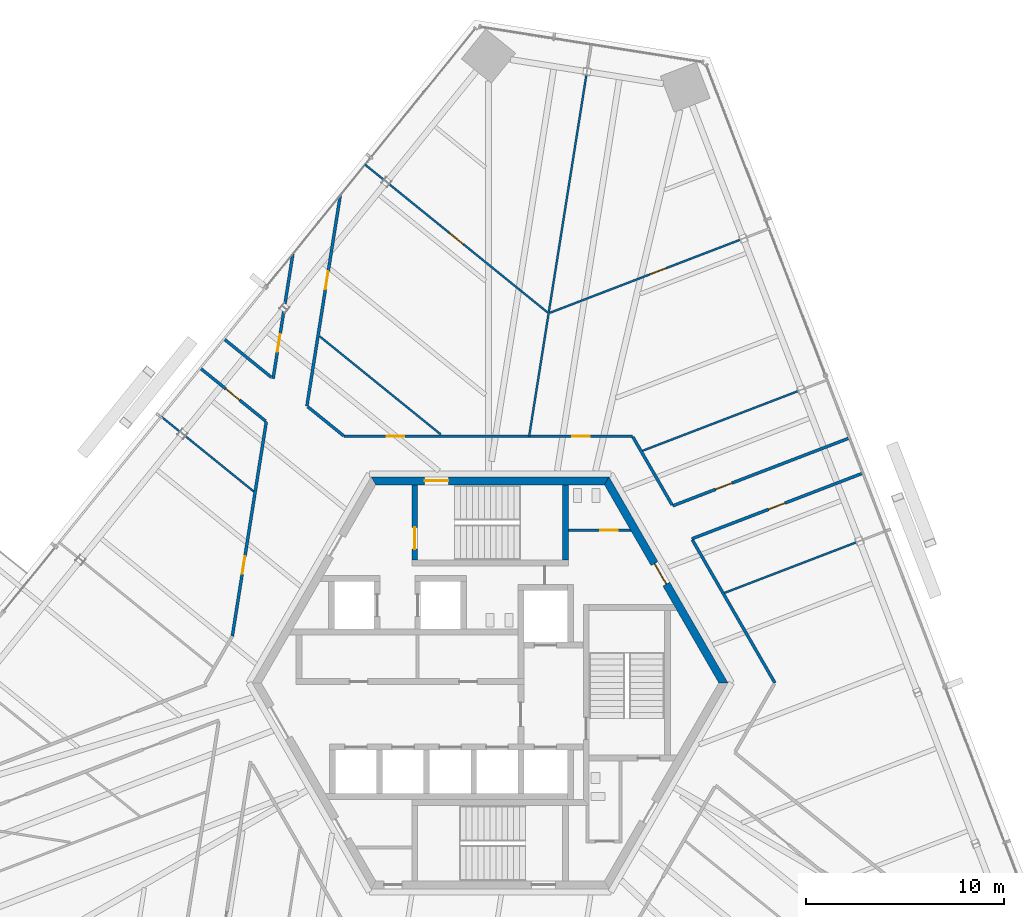
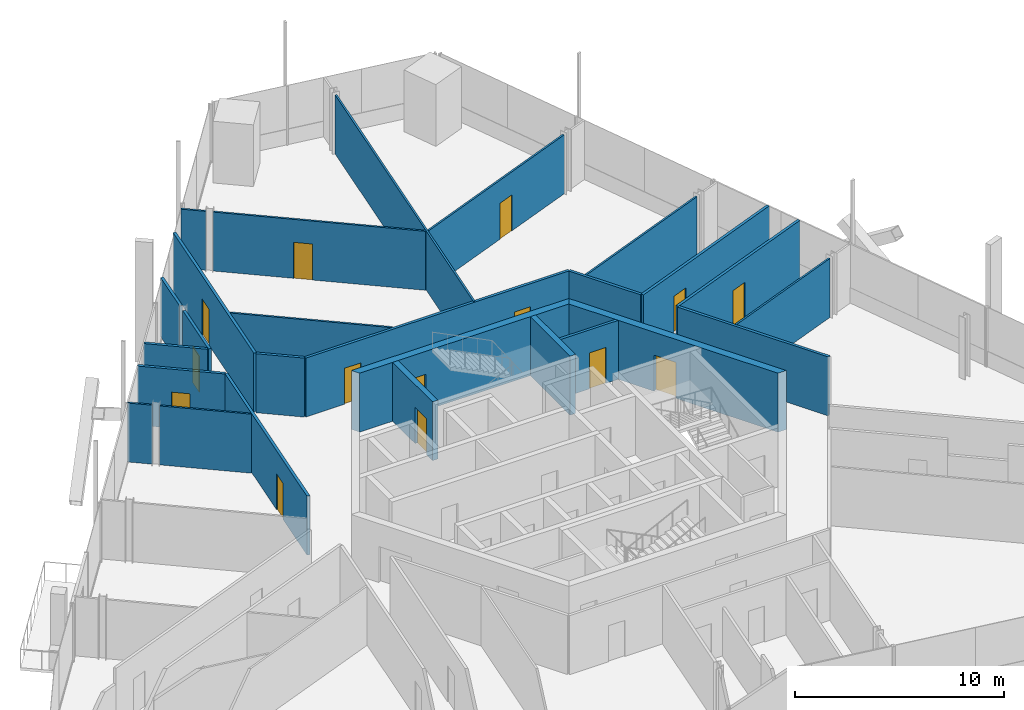
# One storey, part 14 of 22: 26 walls, 14 doors, 14 openings.
"""IFC4 building model written with IfcOpenShell, lengths in metres."""

from ifc_helpers import new_model, si_unit, direction, frame, frame_2d, origin, place, context, subcontext, project, spatial, polyline, rectangle, outline, extrude, source, transform, mapped, material, layer, layer_set, type_object, element, fill, save


model = new_model("IFC4")

# Units and contexts
model_context = context("Model", 3, precision=1e-05, world=origin(), true_north=direction((0.0, 1.0)))
body_context = subcontext(model_context, "Body", "Model", "MODEL_VIEW")
ifc_project = project(units=[si_unit("LENGTHUNIT", "METRE"), si_unit("AREAUNIT", "SQUARE_METRE"), si_unit("VOLUMEUNIT", "CUBIC_METRE"), si_unit("PLANEANGLEUNIT", "RADIAN"), si_unit("MASSUNIT", "GRAM", prefix="KILO")], contexts=[model_context])

# Site, building, storey
site_placement = place(None, origin())
site = spatial("IfcSite", under=ifc_project, at=site_placement, CompositionType="ELEMENT")
building_placement = place(site_placement, origin())
building = spatial("IfcBuilding", under=site, at=building_placement, Name="Triune Harvest Tower", CompositionType="ELEMENT")
storey_placement = place(building_placement, frame((0.0, 0.0, 153.300048828125)))
storey = spatial("IfcBuildingStorey", under=building, at=storey_placement, Name="L39", CompositionType="ELEMENT", Elevation=153.300048828125)

# Walls
ifc_material_1 = material(Name="Gypsum board on steel studs", Category="steel")
ifc_layer_1 = layer(ifc_material_1, 0.14990234375)
ifc_layer_set_1 = layer_set([ifc_layer_1], Name="Gypsum board on steel studs")
wall_type_1 = type_object("IfcWallType", Name="Fire Partition 150 mm", PredefinedType="PARTITIONING", material=ifc_layer_set_1)
wall_1_placement = place(storey_placement, frame((7.20361328125, 12.407470703125, 0.0), z_axis=(0.0, 0.0, 1.0), x_axis=(0.500021028785, -0.866013262469, 0.0)))
element("IfcWall", 1, at=wall_1_placement, inside=storey, type_object=wall_type_1, Name="Partition L39 002", PredefinedType="PARTITIONING", context=body_context, shape_type="SweptSolid", body=[
    extrude(rectangle(XDim=3.963623046875, YDim=0.14990234375, at=frame_2d((1.98193359375, 0.0))), origin(), (0.0, 0.0, 1.0), 3.43994140625),
])
wall_2_placement = place(storey_placement, frame((10.20751953125, 7.205078125, 0.0), z_axis=(0.0, 0.0, 1.0), x_axis=(0.499995954789, -0.866027739276, 0.0)))
element("IfcWall", 2, at=wall_2_placement, inside=storey, type_object=wall_type_1, Name="Partition L39 003", PredefinedType="PARTITIONING", context=body_context, shape_type="SweptSolid", body=[
    extrude(rectangle(XDim=8.3193359375, YDim=0.14990234375, at=frame_2d((4.15966796875, 0.0))), origin(), (0.0, 0.0, 1.0), 3.43994140625),
])

# Wall, opening, door
wall_3_placement = place(storey_placement, frame((-14.6181640625, 15.874755859375, 0.0), z_axis=(0.0, 0.0, 1.0), x_axis=(0.777146809498, -0.629319343805, 0.0)))
wall_3 = element("IfcWall", 3, at=wall_3_placement, inside=storey, type_object=wall_type_1, Name="Partition L39 013", PredefinedType="PARTITIONING", context=body_context, shape_type="SweptSolid", body=[
    extrude(rectangle(XDim=4.23291015625, YDim=0.14990234375, at=frame_2d((2.116455078125, 0.0))), origin(), (0.0, 0.0, 1.0), 3.43994140625),
])
opening_1_placement = place(wall_3_placement, frame((1.650146484375, 0.0, 0.0)))
opening_1 = element("IfcOpeningElement", 4, at=opening_1_placement, cuts=wall_3, Name="Opening L39-009", PredefinedType="OPENING", context=body_context, shape_type="SweptSolid", body=[
    extrude(rectangle(XDim=0.89990234375, YDim=2.10009765625, at=frame_2d((0.449951171875, 1.050048828125))), frame((0.0, 0.0849609375, 0.0), z_axis=(0.0, -1.0, 0.0), x_axis=(1.0, 0.0, 0.0)), (0.0, 0.0, 1.0), 0.169921875),
])
ifc_material_2 = material(Name="Timber and steel door set", Category="steel")
door_type_1 = type_object("IfcDoorType", Name="Single leaf door FD30 right hand 900 x 2100", OperationType="SINGLE_SWING_RIGHT", PredefinedType="DOOR", material=ifc_material_2)
door_1_placement = place(opening_1_placement, origin())
door_1 = element("IfcDoor", 5, at=door_1_placement, inside=storey, type_object=door_type_1, Name="Door L39-009 Meeting Room 39.09", OperationType="SINGLE_SWING_RIGHT", OverallHeight=2.10009765625, OverallWidth=0.89990234375, PredefinedType="DOOR", context=body_context, shape_type="SweptSolid", body=[
    extrude(rectangle(XDim=0.89990234375, YDim=2.10009765625, at=frame_2d((0.449951171875, 1.050048828125))), frame((0.0, 0.02490234375, 0.0), z_axis=(0.0, -1.0, 0.0), x_axis=(1.0, 0.0, 0.0)), (0.0, 0.0, 1.0), 0.050048828125),
])
fill(opening_1, door_1)

# Walls
wall_4_placement = place(storey_placement, frame((-13.422607421875, 17.351318359375, 0.0), z_axis=(0.0, 0.0, 1.0), x_axis=(0.777130257841, -0.629339782905, 0.0)))
element("IfcWall", 6, at=wall_4_placement, inside=storey, type_object=wall_type_1, Name="Partition L39 015", PredefinedType="PARTITIONING", context=body_context, shape_type="SweptSolid", body=[
    extrude(rectangle(XDim=3.075927734375, YDim=0.14990234375, at=frame_2d((1.5380859375, 0.0))), origin(), (0.0, 0.0, 1.0), 3.43994140625),
])
wall_5_placement = place(storey_placement, frame((-9.20263671875, 13.93408203125, 0.0), z_axis=(0.0, 0.0, 1.0), x_axis=(0.777138202627, -0.629329972286, 0.0)))
element("IfcWall", 7, at=wall_5_placement, inside=storey, type_object=wall_type_1, Name="Partition L39 016", PredefinedType="PARTITIONING", context=body_context, shape_type="SweptSolid", body=[
    extrude(rectangle(XDim=2.345458984375, YDim=0.14990234375, at=frame_2d((1.1728515625, 0.0))), origin(), (0.0, 0.0, 1.0), 3.43994140625),
])

# Wall, openings, doors
wall_6_placement = place(storey_placement, frame((-7.3603515625, 12.4423828125, 0.0), z_axis=(0.0, 0.0, 1.0), x_axis=(1.0, 0.0, 0.0)))
wall_6 = element("IfcWall", 8, at=wall_6_placement, inside=storey, type_object=wall_type_1, Name="Partition L39 025", PredefinedType="PARTITIONING", context=body_context, shape_type="SweptSolid", body=[
    extrude(rectangle(XDim=14.5439453125, YDim=0.14990234375, at=frame_2d((7.27197265625, 0.0))), origin(), (0.0, 0.0, 1.0), 3.43994140625),
])
opening_2_placement = place(wall_6_placement, frame((11.493896484375, 0.0, 0.0)))
opening_2 = element("IfcOpeningElement", 9, at=opening_2_placement, cuts=wall_6, Name="Opening L39-005", PredefinedType="OPENING", context=body_context, shape_type="SweptSolid", body=[
    extrude(rectangle(XDim=0.89990234375, YDim=2.10009765625, at=frame_2d((0.449951171875, 1.050048828125))), frame((0.0, 0.0849609375, 0.0), z_axis=(0.0, -1.0, 0.0), x_axis=(1.0, 0.0, 0.0)), (0.0, 0.0, 1.0), 0.169921875),
])
opening_3_placement = place(wall_6_placement, frame((2.135498046875, 0.0, 0.0)))
opening_3 = element("IfcOpeningElement", 10, at=opening_3_placement, cuts=wall_6, Name="Opening L39-011", PredefinedType="OPENING", context=body_context, shape_type="SweptSolid", body=[
    extrude(rectangle(XDim=0.89990234375, YDim=2.10009765625, at=frame_2d((0.449951171875, 1.050048828125))), frame((0.0, 0.0849609375, 0.0), z_axis=(0.0, -1.0, 0.0), x_axis=(1.0, 0.0, 0.0)), (0.0, 0.0, 1.0), 0.169921875),
])
ifc_material_3 = material(Name="Timber and steel door set", Category="steel")
door_type_2 = type_object("IfcDoorType", Name="Single leaf door FD30 left hand 900 x 2100", OperationType="SINGLE_SWING_LEFT", PredefinedType="DOOR", material=ifc_material_3)
door_2_placement = place(opening_3_placement, origin())
door_2 = element("IfcDoor", 11, at=door_2_placement, inside=storey, type_object=door_type_2, Name="Door L39-011 Office 39.11", OperationType="SINGLE_SWING_LEFT", OverallHeight=2.10009765625, OverallWidth=0.89990234375, PredefinedType="DOOR", context=body_context, shape_type="SweptSolid", body=[
    extrude(rectangle(XDim=0.89990234375, YDim=2.10009765625, at=frame_2d((0.449951171875, 1.050048828125))), frame((0.0, 0.02490234375, 0.0), z_axis=(0.0, -1.0, 0.0), x_axis=(1.0, 0.0, 0.0)), (0.0, 0.0, 1.0), 0.050048828125),
])
fill(opening_3, door_2)
door_3_placement = place(opening_2_placement, origin())
door_3 = element("IfcDoor", 12, at=door_3_placement, inside=storey, type_object=door_type_1, Name="Door L39-005 Open Office 39.05", OperationType="SINGLE_SWING_RIGHT", OverallHeight=2.10009765625, OverallWidth=0.89990234375, PredefinedType="DOOR", context=body_context, shape_type="SweptSolid", body=[
    extrude(rectangle(XDim=0.89990234375, YDim=2.10009765625, at=frame_2d((0.449951171875, 1.050048828125))), frame((0.0, 0.02490234375, 0.0), z_axis=(0.0, -1.0, 0.0), x_axis=(1.0, 0.0, 0.0)), (0.0, 0.0, 1.0), 0.050048828125),
])
fill(opening_2, door_3)

# Wall, opening, door
wall_7_placement = place(storey_placement, frame((10.17236328125, 7.265625, 0.0), z_axis=(0.0, 0.0, 1.0), x_axis=(0.933580767762, 0.358367060519, 0.0)))
wall_7 = element("IfcWall", 13, at=wall_7_placement, inside=storey, type_object=wall_type_1, Name="Partition L39 031", PredefinedType="PARTITIONING", context=body_context, shape_type="SweptSolid", body=[
    extrude(rectangle(XDim=9.250244140625, YDim=0.14990234375, at=frame_2d((4.625, 0.0))), origin(), (0.0, 0.0, 1.0), 3.43994140625),
])
opening_4_placement = place(wall_7_placement, frame((4.14990234375, 0.0, 0.0)))
opening_4 = element("IfcOpeningElement", 14, at=opening_4_placement, cuts=wall_7, Name="Opening L39-004", PredefinedType="OPENING", context=body_context, shape_type="SweptSolid", body=[
    extrude(rectangle(XDim=0.89990234375, YDim=2.10009765625, at=frame_2d((0.449951171875, 1.050048828125))), frame((0.0, 0.0849609375, 0.0), z_axis=(0.0, -1.0, 0.0), x_axis=(1.0, 0.0, 0.0)), (0.0, 0.0, 1.0), 0.169921875),
])
door_4_placement = place(opening_4_placement, origin())
door_4 = element("IfcDoor", 15, at=door_4_placement, inside=storey, type_object=door_type_1, Name="Door L39-004 Office 39.04", OperationType="SINGLE_SWING_RIGHT", OverallHeight=2.10009765625, OverallWidth=0.89990234375, PredefinedType="DOOR", context=body_context, shape_type="SweptSolid", body=[
    extrude(rectangle(XDim=0.89990234375, YDim=2.10009765625, at=frame_2d((0.449951171875, 1.050048828125))), frame((0.0, 0.02490234375, 0.0), z_axis=(0.0, -1.0, 0.0), x_axis=(1.0, 0.0, 0.0)), (0.0, 0.0, 1.0), 0.050048828125),
])
fill(opening_4, door_4)

wall_8_placement = place(storey_placement, frame((9.210693359375, 8.931396484375, 0.0), z_axis=(0.0, 0.0, 1.0), x_axis=(0.933575998864, 0.358379483711, 0.0)))
wall_8 = element("IfcWall", 16, at=wall_8_placement, inside=storey, type_object=wall_type_1, Name="Partition L39 033", PredefinedType="PARTITIONING", context=body_context, shape_type="SweptSolid", body=[
    extrude(rectangle(XDim=9.551025390625, YDim=0.14990234375, at=frame_2d((4.775390625, 0.0))), origin(), (0.0, 0.0, 1.0), 3.43994140625),
])
opening_5_placement = place(wall_8_placement, frame((2.31787109375, 0.0, 0.0)))
opening_5 = element("IfcOpeningElement", 17, at=opening_5_placement, cuts=wall_8, Name="Opening L39-003", PredefinedType="OPENING", context=body_context, shape_type="SweptSolid", body=[
    extrude(rectangle(XDim=0.89990234375, YDim=2.10009765625, at=frame_2d((0.449951171875, 1.050048828125))), frame((0.0, 0.0849609375, 0.0), z_axis=(0.0, -1.0, 0.0), x_axis=(1.0, 0.0, 0.0)), (0.0, 0.0, 1.0), 0.169921875),
])
door_5_placement = place(opening_5_placement, origin())
door_5 = element("IfcDoor", 18, at=door_5_placement, inside=storey, type_object=door_type_2, Name="Door L39-003 Meeting Room 39.03", OperationType="SINGLE_SWING_LEFT", OverallHeight=2.10009765625, OverallWidth=0.89990234375, PredefinedType="DOOR", context=body_context, shape_type="SweptSolid", body=[
    extrude(rectangle(XDim=0.89990234375, YDim=2.10009765625, at=frame_2d((0.449951171875, 1.050048828125))), frame((0.0, 0.02490234375, 0.0), z_axis=(0.0, -1.0, 0.0), x_axis=(1.0, 0.0, 0.0)), (0.0, 0.0, 1.0), 0.050048828125),
])
fill(opening_5, door_5)

wall_9_placement = place(storey_placement, frame((-9.24169921875, 13.9658203125, 0.0), z_axis=(0.0, 0.0, 1.0), x_axis=(0.156434475356, 0.987688338961, 0.0)))
wall_9 = element("IfcWall", 19, at=wall_9_placement, inside=storey, type_object=wall_type_1, Name="Partition L39 052", PredefinedType="PARTITIONING", context=body_context, shape_type="SweptSolid", body=[
    extrude(rectangle(XDim=10.75927734375, YDim=0.14990234375, at=frame_2d((5.379638671875, 0.0))), origin(), (0.0, 0.0, 1.0), 3.43994140625),
])
opening_6_placement = place(wall_9_placement, frame((5.972900390625, 0.0, 0.0)))
opening_6 = element("IfcOpeningElement", 20, at=opening_6_placement, cuts=wall_9, Name="Opening L39-008", PredefinedType="OPENING", context=body_context, shape_type="SweptSolid", body=[
    extrude(rectangle(XDim=0.89990234375, YDim=2.10009765625, at=frame_2d((0.449951171875, 1.050048828125))), frame((0.0, 0.0849609375, 0.0), z_axis=(0.0, -1.0, 0.0), x_axis=(1.0, 0.0, 0.0)), (0.0, 0.0, 1.0), 0.169921875),
])
door_6_placement = place(opening_6_placement, origin())
door_6 = element("IfcDoor", 21, at=door_6_placement, inside=storey, type_object=door_type_2, Name="Door L39-008 Project Room 39.08", OperationType="SINGLE_SWING_LEFT", OverallHeight=2.10009765625, OverallWidth=0.89990234375, PredefinedType="DOOR", context=body_context, shape_type="SweptSolid", body=[
    extrude(rectangle(XDim=0.89990234375, YDim=2.10009765625, at=frame_2d((0.449951171875, 1.050048828125))), frame((0.0, 0.02490234375, 0.0), z_axis=(0.0, -1.0, 0.0), x_axis=(1.0, 0.0, 0.0)), (0.0, 0.0, 1.0), 0.050048828125),
])
fill(opening_6, door_6)

wall_10_placement = place(storey_placement, frame((-13.0029296875, 2.36279296875, 0.0), z_axis=(0.0, 0.0, 1.0), x_axis=(0.156429623445, 0.987689107416, 0.0)))
wall_10 = element("IfcWall", 22, at=wall_10_placement, inside=storey, type_object=wall_type_1, Name="Partition L39 054", PredefinedType="PARTITIONING", context=body_context, shape_type="SweptSolid", body=[
    extrude(rectangle(XDim=10.951416015625, YDim=0.14990234375, at=frame_2d((5.4755859375, 0.0))), origin(), (0.0, 0.0, 1.0), 3.43994140625),
])
opening_7_placement = place(wall_10_placement, frame((3.178466796875, 0.0, 0.0)))
opening_7 = element("IfcOpeningElement", 23, at=opening_7_placement, cuts=wall_10, Name="Opening L39-012", PredefinedType="OPENING", context=body_context, shape_type="SweptSolid", body=[
    extrude(rectangle(XDim=0.89990234375, YDim=2.10009765625, at=frame_2d((0.449951171875, 1.050048828125))), frame((0.0, 0.0849609375, 0.0), z_axis=(0.0, -1.0, 0.0), x_axis=(1.0, 0.0, 0.0)), (0.0, 0.0, 1.0), 0.169921875),
])
door_7_placement = place(opening_7_placement, origin())
door_7 = element("IfcDoor", 24, at=door_7_placement, inside=storey, type_object=door_type_2, Name="Door L39-012 Open Office 39.12", OperationType="SINGLE_SWING_LEFT", OverallHeight=2.10009765625, OverallWidth=0.89990234375, PredefinedType="DOOR", context=body_context, shape_type="SweptSolid", body=[
    extrude(rectangle(XDim=0.89990234375, YDim=2.10009765625, at=frame_2d((0.449951171875, 1.050048828125))), frame((0.0, 0.02490234375, 0.0), z_axis=(0.0, -1.0, 0.0), x_axis=(1.0, 0.0, 0.0)), (0.0, 0.0, 1.0), 0.050048828125),
])
fill(opening_7, door_7)

wall_11_placement = place(storey_placement, frame((-10.946533203125, 15.34619140625, 0.0), z_axis=(0.0, 0.0, 1.0), x_axis=(0.156450237182, 0.987685842404, 0.0)))
wall_11 = element("IfcWall", 25, at=wall_11_placement, inside=storey, type_object=wall_type_1, Name="Partition L39 055", PredefinedType="PARTITIONING", context=body_context, shape_type="SweptSolid", body=[
    extrude(rectangle(XDim=3.4189453125, YDim=0.14990234375, at=frame_2d((1.70947265625, 0.0))), origin(), (0.0, 0.0, 1.0), 3.43994140625),
])
opening_8_placement = place(wall_11_placement, frame((1.373046875, 0.0, 0.0)))
opening_8 = element("IfcOpeningElement", 26, at=opening_8_placement, cuts=wall_11, Name="Opening L39-010", PredefinedType="OPENING", context=body_context, shape_type="SweptSolid", body=[
    extrude(rectangle(XDim=0.89990234375, YDim=2.10009765625, at=frame_2d((0.449951171875, 1.050048828125))), frame((0.0, 0.0849609375, 0.0), z_axis=(0.0, -1.0, 0.0), x_axis=(1.0, 0.0, 0.0)), (0.0, 0.0, 1.0), 0.169921875),
])
door_8_placement = place(opening_8_placement, origin())
door_8 = element("IfcDoor", 27, at=door_8_placement, inside=storey, type_object=door_type_1, Name="Door L39-010 Office 39.10", OperationType="SINGLE_SWING_RIGHT", OverallHeight=2.10009765625, OverallWidth=0.89990234375, PredefinedType="DOOR", context=body_context, shape_type="SweptSolid", body=[
    extrude(rectangle(XDim=0.89990234375, YDim=2.10009765625, at=frame_2d((0.449951171875, 1.050048828125))), frame((0.0, 0.02490234375, 0.0), z_axis=(0.0, -1.0, 0.0), x_axis=(1.0, 0.0, 0.0)), (0.0, 0.0, 1.0), 0.050048828125),
])
fill(opening_8, door_8)

# Walls
ifc_material_4 = material(Name="Gypsum board on steel studs", Category="steel")
ifc_layer_2 = layer(ifc_material_4, 0.10009765625)
ifc_layer_set_2 = layer_set([ifc_layer_2], Name="Gypsum board on steel studs")
wall_type_2 = type_object("IfcWallType", Name="Partition 100 mm", PredefinedType="PARTITIONING", material=ifc_layer_set_2)
wall_12_placement = place(storey_placement, frame((-15.3759765625, 12.451171875, 0.0), z_axis=(0.0, 0.0, 1.0), x_axis=(0.777130859539, -0.629339039907, 0.0)))
element("IfcWall", 28, at=wall_12_placement, inside=storey, type_object=wall_type_2, Name="Partition L39 010", PredefinedType="PARTITIONING", context=body_context, shape_type="SweptSolid", body=[
    extrude(rectangle(XDim=4.438720703125, YDim=0.10009765625, at=frame_2d((2.21923828125, 0.0))), origin(), (0.0, 0.0, 1.0), 3.43994140625),
])
wall_13_placement = place(storey_placement, frame((-8.60498046875, 17.4873046875, 0.0), z_axis=(0.0, 0.0, 1.0), x_axis=(0.777142955765, -0.629324102752, 0.0)))
element("IfcWall", 29, at=wall_13_placement, inside=storey, type_object=wall_type_2, Name="Partition L39 018", PredefinedType="PARTITIONING", context=body_context, shape_type="SweptSolid", body=[
    extrude(rectangle(XDim=7.86669921875, YDim=0.10009765625, at=frame_2d((3.933349609375, 0.0))), origin(), (0.0, 0.0, 1.0), 3.43994140625),
])

# Wall, opening, door
wall_14_placement = place(storey_placement, frame((-5.086669921875, 25.157470703125, 0.0), z_axis=(0.0, 0.0, 1.0), x_axis=(0.777148586924, -0.629317148854, 0.0)))
wall_14 = element("IfcWall", 30, at=wall_14_placement, inside=storey, type_object=wall_type_2, Name="Partition L39 020", PredefinedType="PARTITIONING", context=body_context, shape_type="SweptSolid", body=[
    extrude(rectangle(XDim=10.275390625, YDim=0.10009765625, at=frame_2d((5.1376953125, 0.0))), origin(), (0.0, 0.0, 1.0), 3.43994140625),
])
opening_9_placement = place(wall_14_placement, frame((3.8955078125, 0.0, 0.0)))
opening_9 = element("IfcOpeningElement", 31, at=opening_9_placement, cuts=wall_14, Name="Opening L39-007", PredefinedType="OPENING", context=body_context, shape_type="SweptSolid", body=[
    extrude(rectangle(XDim=0.89990234375, YDim=2.10009765625, at=frame_2d((0.449951171875, 1.050048828125))), frame((0.0, 0.06005859375, 0.0), z_axis=(0.0, -1.0, 0.0), x_axis=(1.0, 0.0, 0.0)), (0.0, 0.0, 1.0), 0.1201171875),
])
ifc_material_5 = material(Name="Timber and steel door set", Category="steel")
door_type_3 = type_object("IfcDoorType", Name="Single leaf door left hand 900 x 2100", OperationType="SINGLE_SWING_LEFT", PredefinedType="DOOR", material=ifc_material_5)
door_9_placement = place(opening_9_placement, origin())
door_9 = element("IfcDoor", 32, at=door_9_placement, inside=storey, type_object=door_type_3, Name="Door L39-007 Project Room 39.07", OperationType="SINGLE_SWING_LEFT", OverallHeight=2.10009765625, OverallWidth=0.89990234375, PredefinedType="DOOR", context=body_context, shape_type="SweptSolid", body=[
    extrude(rectangle(XDim=0.89990234375, YDim=2.10009765625, at=frame_2d((0.449951171875, 1.050048828125))), frame((0.0, 0.02490234375, 0.0), z_axis=(0.0, -1.0, 0.0), x_axis=(1.0, 0.0, 0.0)), (0.0, 0.0, 1.0), 0.050048828125),
])
fill(opening_9, door_9)

# Wall
wall_15_placement = place(storey_placement, frame((11.816650390625, 4.535888671875, 0.0), z_axis=(0.0, 0.0, 1.0), x_axis=(0.933575821264, 0.358379946356, 0.0)))
element("IfcWall", 33, at=wall_15_placement, inside=storey, type_object=wall_type_2, Name="Partition L39 028", PredefinedType="PARTITIONING", context=body_context, shape_type="SweptSolid", body=[
    extrude(rectangle(XDim=7.127685546875, YDim=0.10009765625, at=frame_2d((3.56396484375, 0.0))), origin(), (0.0, 0.0, 1.0), 3.43994140625),
])

# Wall, opening, door
wall_16_placement = place(storey_placement, frame((3.009521484375, 18.66845703125, 0.0), z_axis=(0.0, 0.0, 1.0), x_axis=(0.933578491658, 0.358372989933, 0.0)))
wall_16 = element("IfcWall", 34, at=wall_16_placement, inside=storey, type_object=wall_type_2, Name="Partition L39 036", PredefinedType="PARTITIONING", context=body_context, shape_type="SweptSolid", body=[
    extrude(rectangle(XDim=10.285400390625, YDim=0.10009765625, at=frame_2d((5.142578125, 0.0))), origin(), (0.0, 0.0, 1.0), 3.43994140625),
])
opening_10_placement = place(wall_16_placement, frame((5.40087890625, 0.0, 0.0)))
opening_10 = element("IfcOpeningElement", 35, at=opening_10_placement, cuts=wall_16, Name="Opening L39-006", PredefinedType="OPENING", context=body_context, shape_type="SweptSolid", body=[
    extrude(rectangle(XDim=0.89990234375, YDim=2.10009765625, at=frame_2d((0.449951171875, 1.050048828125))), frame((0.0, 0.06005859375, 0.0), z_axis=(0.0, -1.0, 0.0), x_axis=(1.0, 0.0, 0.0)), (0.0, 0.0, 1.0), 0.1201171875),
])
ifc_material_6 = material(Name="Timber and steel door set", Category="steel")
door_type_4 = type_object("IfcDoorType", Name="Single leaf door right hand 900 x 2100", OperationType="SINGLE_SWING_RIGHT", PredefinedType="DOOR", material=ifc_material_6)
door_10_placement = place(opening_10_placement, origin())
door_10 = element("IfcDoor", 36, at=door_10_placement, inside=storey, type_object=door_type_4, Name="Door L39-006 Pantry 39.06", OperationType="SINGLE_SWING_RIGHT", OverallHeight=2.10009765625, OverallWidth=0.89990234375, PredefinedType="DOOR", context=body_context, shape_type="SweptSolid", body=[
    extrude(rectangle(XDim=0.89990234375, YDim=2.10009765625, at=frame_2d((0.449951171875, 1.050048828125))), frame((0.0, 0.02490234375, 0.0), z_axis=(0.0, -1.0, 0.0), x_axis=(1.0, 0.0, 0.0)), (0.0, 0.0, 1.0), 0.050048828125),
])
fill(opening_10, door_10)

# Wall
wall_17_placement = place(storey_placement, frame((1.970703125, 12.4423828125, 0.0), z_axis=(0.0, 0.0, 1.0), x_axis=(0.156441710176, 0.987687193051, 0.0)))
element("IfcWall", 37, at=wall_17_placement, inside=storey, type_object=wall_type_2, Name="Partition L39 047", PredefinedType="PARTITIONING", context=body_context, shape_type="SweptSolid", body=[
    extrude(rectangle(XDim=18.446044921875, YDim=0.10009765625, at=frame_2d((9.22314453125, 0.0))), origin(), (0.0, 0.0, 1.0), 3.43994140625),
])

# Wall, opening, door
ifc_material_7 = material(Name="Concrete 70 MPa", Category="concrete")
ifc_layer_3 = layer(ifc_material_7, 0.39990234375)
ifc_layer_set_3 = layer_set([ifc_layer_3], Name="Concrete 70 MPa")
wall_type_3 = type_object("IfcWallType", Name="Core wall 400", PredefinedType="SHEAR", material=ifc_layer_set_3)
shared_shape_1 = source(origin(), body_context, "Body", "SweptSolid", [
    extrude(outline(polyline([(-0.115478515625, -0.199951171875), (11.884521484375, -0.199951171875), (11.653564453125, 0.199951171875), (0.115478515625, 0.199951171875), (-0.115478515625, -0.199951171875)])), origin(), (0.0, 0.0, 1.0), 3.43994140625),
])
wall_18_placement = place(storey_placement, frame((11.76904296875, 0.0, 0.0), z_axis=(0.0, 0.0, 1.0), x_axis=(-0.499996592174, 0.866027371285, 0.0)))
wall_18 = element("IfcWall", 38, at=wall_18_placement, inside=storey, type_object=wall_type_3, Name="Hexagon 0 wall", PredefinedType="SHEAR", context=body_context, shape_type="MappedRepresentation", body=[
    mapped(shared_shape_1, transform((0.0, 0.0, 0.0), scale=1.0)),
])
opening_11_placement = place(wall_18_placement, frame((5.75048828125, 0.0, 0.0)))
opening_11 = element("IfcOpeningElement", 39, at=opening_11_placement, cuts=wall_18, Name="Opening CD-WCP", PredefinedType="OPENING", context=body_context, shape_type="SweptSolid", body=[
    extrude(rectangle(XDim=1.199951171875, YDim=2.10009765625, at=frame_2d((0.60009765625, 1.050048828125))), frame((0.0, 0.2099609375, 0.0), z_axis=(0.0, -1.0, 0.0), x_axis=(1.0, 0.0, 0.0)), (0.0, 0.0, 1.0), 0.419921875),
])
ifc_material_8 = material(Name="Steel S235", Category="steel")
door_type_5 = type_object("IfcDoorType", Name="Lobby door 1200 FD120", OperationType="SINGLE_SWING_LEFT", PredefinedType="DOOR", material=ifc_material_8)
door_11_placement = place(opening_11_placement, frame((1.199951171875, 0.0, 0.0), z_axis=(0.0, 0.0, 1.0), x_axis=(-1.0, 0.0, 0.0)))
door_11 = element("IfcDoor", 40, at=door_11_placement, inside=storey, type_object=door_type_5, Name="Door CD-WCP", OperationType="SINGLE_SWING_RIGHT", OverallHeight=2.10009765625, OverallWidth=1.199951171875, PredefinedType="DOOR", context=body_context, shape_type="SweptSolid", body=[
    extrude(rectangle(XDim=1.199951171875, YDim=2.10009765625, at=frame_2d((0.60009765625, 1.050048828125))), frame((0.0, 0.02490234375, 0.0), z_axis=(0.0, -1.0, 0.0), x_axis=(1.0, 0.0, 0.0)), (0.0, 0.0, 1.0), 0.050048828125),
])
fill(opening_11, door_11)

wall_19_placement = place(storey_placement, frame((5.884521484375, 10.1923828125, 0.0), z_axis=(0.0, 0.0, 1.0), x_axis=(-1.0, 0.0, 0.0)))
wall_19 = element("IfcWall", 41, at=wall_19_placement, inside=storey, type_object=wall_type_3, Name="Hexagon 1 wall", PredefinedType="SHEAR", context=body_context, shape_type="MappedRepresentation", body=[
    mapped(shared_shape_1, transform((0.0, 0.0, 0.0), scale=1.0)),
])
opening_12_placement = place(wall_19_placement, frame((7.984619140625, 0.0, 0.0)))
opening_12 = element("IfcOpeningElement", 42, at=opening_12_placement, cuts=wall_19, Name="Opening CD-S1P", PredefinedType="OPENING", context=body_context, shape_type="SweptSolid", body=[
    extrude(rectangle(XDim=1.199951171875, YDim=2.10009765625, at=frame_2d((0.60009765625, 1.050048828125))), frame((0.0, 0.2099609375, 0.0), z_axis=(0.0, -1.0, 0.0), x_axis=(1.0, 0.0, 0.0)), (0.0, 0.0, 1.0), 0.419921875),
])
ifc_material_9 = material(Name="Steel S235", Category="steel")
door_type_6 = type_object("IfcDoorType", Name="Stair door 1200 FD120", OperationType="SINGLE_SWING_LEFT", PredefinedType="DOOR", material=ifc_material_9)
door_12_placement = place(opening_12_placement, frame((1.199951171875, 0.0, 0.0), z_axis=(0.0, 0.0, 1.0), x_axis=(-1.0, 0.0, 0.0)))
door_12 = element("IfcDoor", 43, at=door_12_placement, inside=storey, type_object=door_type_6, Name="Door CD-S1P", OperationType="SINGLE_SWING_RIGHT", OverallHeight=2.10009765625, OverallWidth=1.199951171875, PredefinedType="DOOR", context=body_context, shape_type="SweptSolid", body=[
    extrude(rectangle(XDim=1.199951171875, YDim=2.10009765625, at=frame_2d((0.60009765625, 1.050048828125))), frame((0.0, 0.02490234375, 0.0), z_axis=(0.0, -1.0, 0.0), x_axis=(1.0, 0.0, 0.0)), (0.0, 0.0, 1.0), 0.050048828125),
])
fill(opening_12, door_12)

ifc_material_10 = material(Name="Concrete 70 MPa", Category="concrete")
ifc_layer_4 = layer(ifc_material_10, 0.300048828125)
ifc_layer_set_4 = layer_set([ifc_layer_4], Name="Concrete 70 MPa")
wall_type_4 = type_object("IfcWallType", Name="Core wall 300", PredefinedType="SHEAR", material=ifc_layer_set_4)
shared_shape_2 = source(origin(), body_context, "Body", "SweptSolid", [
    extrude(outline(polyline([(0.0, -0.14990234375), (0.0, 0.14990234375), (3.80419921875, 0.14990234375), (3.80419921875, -0.14990234375), (0.0, -0.14990234375)])), origin(), (0.0, 0.0, 1.0), 3.43994140625),
])
wall_20_placement = place(storey_placement, frame((-3.800048828125, 6.18994140625, 0.0), z_axis=(0.0, 0.0, 1.0), x_axis=(0.0, 1.0, 0.0)))
wall_20 = element("IfcWall", 44, at=wall_20_placement, inside=storey, type_object=wall_type_4, Name="Stair n west wall", PredefinedType="SHEAR", context=body_context, shape_type="MappedRepresentation", body=[
    mapped(shared_shape_2, transform((0.0, 0.0, 0.0), scale=1.0)),
])
opening_13_placement = place(wall_20_placement, frame((0.56005859375, 0.0, 0.0)))
opening_13 = element("IfcOpeningElement", 45, at=opening_13_placement, cuts=wall_20, Name="Opening CD-S1L", PredefinedType="OPENING", context=body_context, shape_type="SweptSolid", body=[
    extrude(rectangle(XDim=1.10009765625, YDim=2.10009765625, at=frame_2d((0.550048828125, 1.050048828125))), frame((0.0, 0.16015625, 0.0), z_axis=(0.0, -1.0, 0.0), x_axis=(1.0, 0.0, 0.0)), (0.0, 0.0, 1.0), 0.320068359375),
])
ifc_material_11 = material(Name="Steel S235", Category="steel")
door_type_7 = type_object("IfcDoorType", Name="Stair door 1100 FD120", OperationType="SINGLE_SWING_LEFT", PredefinedType="DOOR", material=ifc_material_11)
door_13_placement = place(opening_13_placement, frame((1.10009765625, 0.0, 0.0), z_axis=(0.0, 0.0, 1.0), x_axis=(-1.0, 0.0, 0.0)))
door_13 = element("IfcDoor", 46, at=door_13_placement, inside=storey, type_object=door_type_7, Name="Door CD-S1L", OperationType="SINGLE_SWING_RIGHT", OverallHeight=2.10009765625, OverallWidth=1.10009765625, PredefinedType="DOOR", context=body_context, shape_type="SweptSolid", body=[
    extrude(rectangle(XDim=1.10009765625, YDim=2.10009765625, at=frame_2d((0.550048828125, 1.050048828125))), frame((0.0, 0.02490234375, 0.0), z_axis=(0.0, -1.0, 0.0), x_axis=(1.0, 0.0, 0.0)), (0.0, 0.0, 1.0), 0.050048828125),
])
fill(opening_13, door_13)

# Wall
wall_21_placement = place(storey_placement, frame((3.800048828125, 6.18994140625, 0.0), z_axis=(0.0, 0.0, 1.0), x_axis=(0.0, 1.0, 0.0)))
element("IfcWall", 47, at=wall_21_placement, inside=storey, type_object=wall_type_4, Name="Stair n east wall", PredefinedType="SHEAR", context=body_context, shape_type="MappedRepresentation", body=[
    mapped(shared_shape_2, transform((0.0, 0.0, 0.0), scale=1.0)),
])

# Wall, opening, door
ifc_material_12 = material(Name="Concrete masonry unit", Category="masonry")
ifc_layer_5 = layer(ifc_material_12, 0.14990234375)
ifc_layer_set_5 = layer_set([ifc_layer_5], Name="Concrete masonry unit")
wall_type_5 = type_object("IfcWallType", Name="Block partition 150 unrated", PredefinedType="PARTITIONING", material=ifc_layer_set_5)
shared_shape_3 = source(origin(), body_context, "Body", "SweptSolid", [
    extrude(outline(polyline([(0.0, -0.074951171875), (0.0, 0.074951171875), (3.1015625, 0.074951171875), (3.18798828125, -0.074951171875), (0.0, -0.074951171875)])), origin(), (0.0, 0.0, 1.0), 3.43994140625),
])
wall_22_placement = place(storey_placement, frame((3.949951171875, 7.699951171875, 0.0), z_axis=(0.0, 0.0, 1.0), x_axis=(1.0, 0.0, 0.0)))
wall_22 = element("IfcWall", 48, at=wall_22_placement, inside=storey, type_object=wall_type_5, Name="Wc women south wall", PredefinedType="PARTITIONING", context=body_context, shape_type="MappedRepresentation", body=[
    mapped(shared_shape_3, transform((0.0, 0.0, 0.0), scale=1.0)),
])
opening_14_placement = place(wall_22_placement, frame((1.60009765625, 0.0, 0.0)))
opening_14 = element("IfcOpeningElement", 49, at=opening_14_placement, cuts=wall_22, Name="Opening CD-WW", PredefinedType="OPENING", context=body_context, shape_type="SweptSolid", body=[
    extrude(rectangle(XDim=0.89990234375, YDim=2.10009765625, at=frame_2d((0.449951171875, 1.050048828125))), frame((0.0, 0.0849609375, 0.0), z_axis=(0.0, -1.0, 0.0), x_axis=(1.0, 0.0, 0.0)), (0.0, 0.0, 1.0), 0.169921875),
])
ifc_material_13 = material(Name="Timber C24", Category="wood")
door_type_8 = type_object("IfcDoorType", Name="WC door 900", OperationType="SINGLE_SWING_LEFT", PredefinedType="DOOR", material=ifc_material_13)
door_14_placement = place(opening_14_placement, origin())
door_14 = element("IfcDoor", 50, at=door_14_placement, inside=storey, type_object=door_type_8, Name="Door CD-WW", OperationType="SINGLE_SWING_LEFT", OverallHeight=2.10009765625, OverallWidth=0.89990234375, PredefinedType="DOOR", context=body_context, shape_type="SweptSolid", body=[
    extrude(rectangle(XDim=0.89990234375, YDim=2.10009765625, at=frame_2d((0.449951171875, 1.050048828125))), frame((0.0, 0.02490234375, 0.0), z_axis=(0.0, -1.0, 0.0), x_axis=(1.0, 0.0, 0.0)), (0.0, 0.0, 1.0), 0.050048828125),
])
fill(opening_14, door_14)

# Walls
shared_shape_4 = source(origin(), body_context, "Body", "SweptSolid", [
    extrude(rectangle(XDim=1.212158203125, YDim=0.10009765625, at=frame_2d((0.60595703125, 0.0))), origin(), (0.0, 0.0, 1.0), 3.43994140625),
])
wall_23_placement = place(storey_placement, frame((-6.30322265625, 26.142578125, 0.0), z_axis=(0.0, 0.0, 1.0), x_axis=(0.777240180322, -0.629204022629, 0.0)))
element("IfcWall", 51, at=wall_23_placement, inside=storey, type_object=wall_type_2, Name="Partition L39 019", PredefinedType="PARTITIONING", context=body_context, shape_type="MappedRepresentation", body=[
    mapped(shared_shape_4, transform((0.0, 0.0, 0.0), scale=1.0)),
])
shared_shape_5 = source(origin(), body_context, "Body", "SweptSolid", [
    extrude(rectangle(XDim=1.2119140625, YDim=0.10009765625, at=frame_2d((0.60595703125, 0.0))), origin(), (0.0, 0.0, 1.0), 3.43994140625),
])
wall_24_placement = place(storey_placement, frame((-16.592529296875, 13.436279296875, 0.0), z_axis=(0.0, 0.0, 1.0), x_axis=(0.777160423943, -0.629302530948, 0.0)))
element("IfcWall", 52, at=wall_24_placement, inside=storey, type_object=wall_type_2, Name="Partition L39 009", PredefinedType="PARTITIONING", context=body_context, shape_type="MappedRepresentation", body=[
    mapped(shared_shape_5, transform((0.0, 0.0, 0.0), scale=1.0)),
])
shared_shape_6 = source(origin(), body_context, "Body", "SweptSolid", [
    extrude(rectangle(XDim=2.54443359375, YDim=0.14990234375, at=frame_2d((1.272216796875, 0.0))), origin(), (0.0, 0.0, 1.0), 3.43994140625),
])
wall_25_placement = place(storey_placement, frame((-10.347900390625, 19.126220703125, 0.0), z_axis=(0.0, 0.0, 1.0), x_axis=(0.156489741749, 0.987679584039, 0.0)))
element("IfcWall", 53, at=wall_25_placement, inside=storey, type_object=wall_type_1, Name="Partition L39 056", PredefinedType="PARTITIONING", context=body_context, shape_type="MappedRepresentation", body=[
    mapped(shared_shape_6, transform((0.0, 0.0, 0.0), scale=1.0)),
])
shared_shape_7 = source(origin(), body_context, "Body", "SweptSolid", [
    extrude(rectangle(XDim=8.482666015625, YDim=0.10009765625, at=frame_2d((4.2412109375, 0.0))), origin(), (0.0, 0.0, 1.0), 3.43994140625),
])
wall_26_placement = place(storey_placement, frame((7.622314453125, 11.6826171875, 0.0), z_axis=(0.0, 0.0, 1.0), x_axis=(0.933584256051, 0.358357973058, 0.0)))
element("IfcWall", 54, at=wall_26_placement, inside=storey, type_object=wall_type_2, Name="Partition L39 034", PredefinedType="PARTITIONING", context=body_context, shape_type="MappedRepresentation", body=[
    mapped(shared_shape_7, transform((0.0, 0.0, 0.0), scale=1.0)),
])

save(model, "model.ifc")
